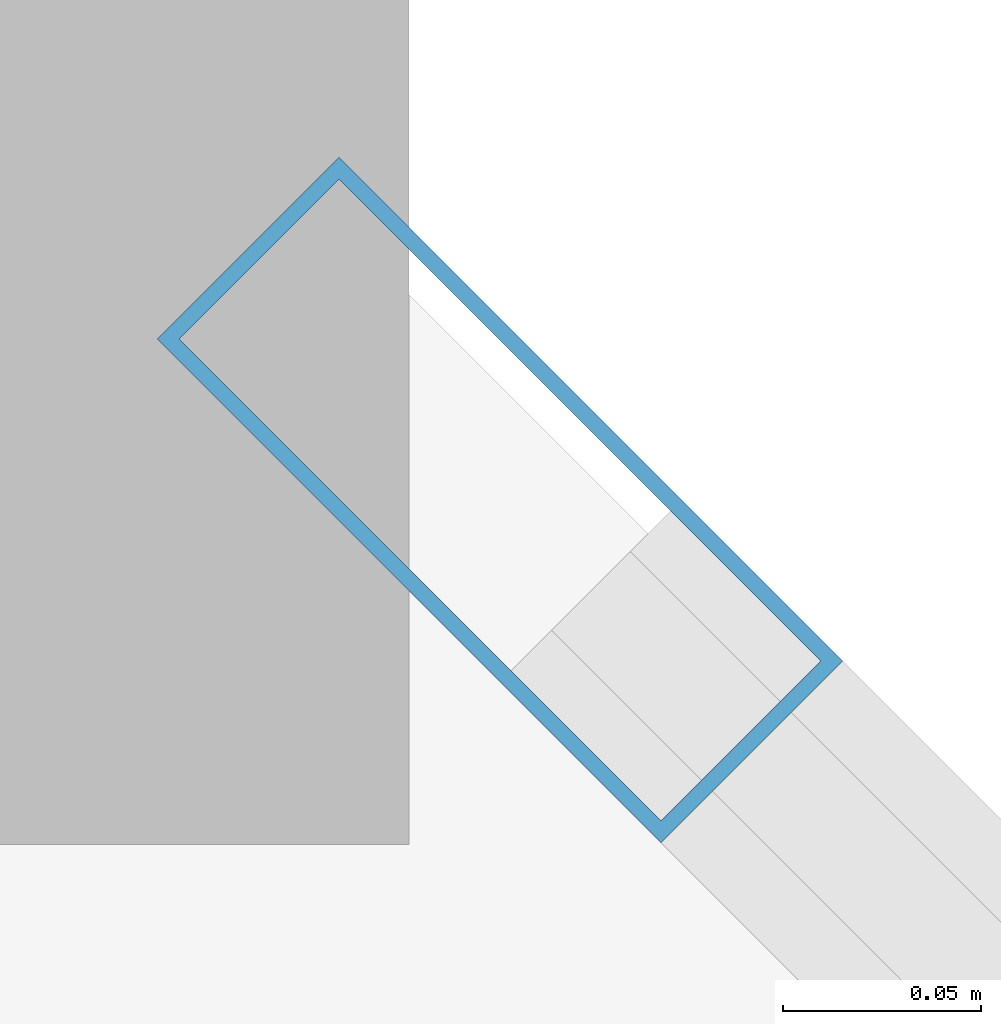
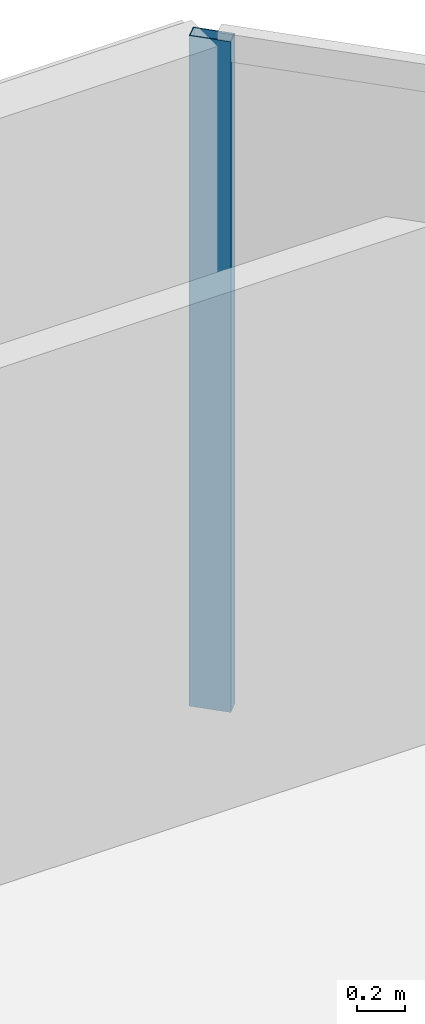
# One storey, part 21 of 30: 1 member, 1 element without a shape of its own.
"""IFC4 building model written with IfcOpenShell, lengths in metres."""

import ifcopenshell
import ifcopenshell.guid

model = None  # the IFC model being written
_history = None  # IfcOwnerHistory: only IFC2X3 demands one
_inside = {}  # id of a spatial element -> (the spatial element, [elements in it])
_under = {}  # id of a project, library or spatial element -> (it, [spatial elements below it])
_declared = {}  # id of a project -> (the project, [libraries it declares])
_typed = {}  # id of a type object -> (the type object, [elements of that type])
_made_of = {}  # id of a material, layer set ... -> (it, [elements and type objects made of it])


def new_model(schema):
    """Start an empty IFC model of exactly this schema.

    Asked for "IFC4X3", IfcOpenShell would pick the latest addendum, in which some entities
    have other attributes; the version numbers below select the first issue.
    IFC2X3 requires an IfcOwnerHistory on every rooted entity: one is made here for all.
    """
    global model, _history
    if schema == "IFC4X3":
        model = ifcopenshell.file(schema_version=(4, 3, 0, 0))
    else:
        model = ifcopenshell.file(schema=schema)
    _inside.clear()
    _under.clear()
    _declared.clear()
    _typed.clear()
    _made_of.clear()
    _history = None
    if model.schema == "IFC2X3":
        org = make("IfcOrganization", Name="unknown")
        user = make(
            "IfcPersonAndOrganization",
            ThePerson=make("IfcPerson", FamilyName="unknown"),
            TheOrganization=org,
        )
        app = make(
            "IfcApplication",
            ApplicationDeveloper=org,
            Version="unknown",
            ApplicationFullName="unknown",
            ApplicationIdentifier="unknown",
        )
        _history = make(
            "IfcOwnerHistory",
            OwningUser=user,
            OwningApplication=app,
            ChangeAction="ADDED",
            CreationDate=0,
        )
    return model


def make(cls, **values):
    """One entity of the class cls with the attributes given. An attribute that is None is left unset."""
    return model.create_entity(
        cls, **{name: value for name, value in values.items() if value is not None}
    )


def rooted(cls, **values):
    """An entity with a GlobalId (a new one), such as an element, a storey or a relation."""
    return make(cls, GlobalId=ifcopenshell.guid.new(), OwnerHistory=_history, **values)


def si_unit(unit_type, name, prefix=None):
    """IfcSIUnit, for example si_unit("LENGTHUNIT", "METRE", prefix="MILLI")."""
    return make("IfcSIUnit", UnitType=unit_type, Prefix=prefix, Name=name)


def assignment(units):
    """IfcUnitAssignment: the units of a project."""
    return None if units is None else make("IfcUnitAssignment", Units=units)


def point(xyz):
    """IfcCartesianPoint."""
    return None if xyz is None else make("IfcCartesianPoint", Coordinates=xyz)


def direction(xyz):
    """IfcDirection."""
    return None if xyz is None else make("IfcDirection", DirectionRatios=xyz)


def frame(location, z_axis=None, x_axis=None):
    """IfcAxis2Placement3D, a coordinate frame: its origin and axes. An axis left out is left unset."""
    return make(
        "IfcAxis2Placement3D",
        Location=point(location),
        Axis=direction(z_axis),
        RefDirection=direction(x_axis),
    )


def frame_2d(location, x_axis=None):
    """IfcAxis2Placement2D, a coordinate frame in the plane: its origin and x axis."""
    return make(
        "IfcAxis2Placement2D", Location=point(location), RefDirection=direction(x_axis)
    )


def origin():
    """The frame at (0, 0, 0) with its axes left unset."""
    return frame((0.0, 0.0, 0.0))


def origin_2d():
    """The frame at (0, 0) in the plane with its x axis left unset."""
    return frame_2d((0.0, 0.0))


def place(relative_to, where):
    """IfcLocalPlacement: puts the frame where relative to a parent placement (None: the world)."""
    return make(
        "IfcLocalPlacement", PlacementRelTo=relative_to, RelativePlacement=where
    )


def context(
    kind, dimensions, precision=None, world=None, true_north=None, identifier=None
):
    """IfcGeometricRepresentationContext, for example the 3D "Model" context."""
    return make(
        "IfcGeometricRepresentationContext",
        ContextIdentifier=identifier,
        ContextType=kind,
        CoordinateSpaceDimension=dimensions,
        Precision=precision,
        WorldCoordinateSystem=world,
        TrueNorth=true_north,
    )


def subcontext(parent, identifier, kind, view, scale=None):
    """IfcGeometricRepresentationSubContext, for example "Body" below "Model"."""
    return make(
        "IfcGeometricRepresentationSubContext",
        ContextIdentifier=identifier,
        ContextType=kind,
        ParentContext=parent,
        TargetScale=scale,
        TargetView=view,
    )


def project(units=None, contexts=None):
    """IfcProject with its units and contexts."""
    return rooted(
        "IfcProject",
        Name="project",
        RepresentationContexts=contexts,
        UnitsInContext=assignment(units),
    )


def spatial(cls, under=None, at=None, **own):
    """A site, building, storey or space (cls), placed at a placement, below another one or the project."""
    s = rooted(cls, ObjectPlacement=at, **own)
    if under is not None:
        _under.setdefault(under.id(), (under, []))[1].append(s)
    return s


def profile(cls, at=None, kind="AREA", **sizes):
    """A parametric profile (cls). Its sizes go by their IFC names, for example OverallWidth=200.0."""
    return make(cls, ProfileType=kind, Position=at, **sizes)


def hollow_rectangle(**sizes):
    """IfcRectangleHollowProfileDef."""
    return profile("IfcRectangleHollowProfileDef", **sizes)


def extrude(swept, where, along, depth):
    """IfcExtrudedAreaSolid: the profile swept, set in the frame where, extruded along a direction by depth."""
    return make(
        "IfcExtrudedAreaSolid",
        SweptArea=swept,
        Position=where,
        ExtrudedDirection=direction(along),
        Depth=depth,
    )


def shape(context_of_items, identifier, shape_type, items):
    """IfcShapeRepresentation: the items that make up one representation, for example the "Body"."""
    return make(
        "IfcShapeRepresentation",
        ContextOfItems=context_of_items,
        RepresentationIdentifier=identifier,
        RepresentationType=shape_type,
        Items=items,
    )


def material(Name=None, Category=None):
    """IfcMaterial."""
    return make("IfcMaterial", Name=Name, Category=Category)


def layer(
    of_material, thickness, ventilated=None, Name=None, Category=None, Priority=None
):
    """IfcMaterialLayer: one layer of a wall or slab, of a material (None: an air gap)."""
    return make(
        "IfcMaterialLayer",
        Material=of_material,
        LayerThickness=thickness,
        IsVentilated=ventilated,
        Name=Name,
        Category=Category,
        Priority=Priority,
    )


def layer_set(layers, Name=None):
    """IfcMaterialLayerSet."""
    return make("IfcMaterialLayerSet", MaterialLayers=layers, LayerSetName=Name)


def material_profile(
    of_material, cross_section, Name=None, Category=None, Priority=None
):
    """IfcMaterialProfile: a cross section and its material."""
    return make(
        "IfcMaterialProfile",
        Name=Name,
        Material=of_material,
        Profile=cross_section,
        Priority=Priority,
        Category=Category,
    )


def profile_set(profiles, Name=None, composite=None):
    """IfcMaterialProfileSet."""
    return make(
        "IfcMaterialProfileSet",
        Name=Name,
        MaterialProfiles=profiles,
        CompositeProfile=composite,
    )


def made_of(thing, what):
    """Note that an element or type object is made of a material, layer set ...; save() writes the relation."""
    if what is not None:
        _made_of.setdefault(what.id(), (what, []))[1].append(thing)
    return thing


def type_object(cls, material=None, **own):
    """A type object (cls), such as IfcWallType, which elements share."""
    return made_of(rooted(cls, **own), material)


def element(
    cls,
    number,
    at=None,
    inside=None,
    cuts=None,
    type_object=None,
    material=None,
    context=None,
    identifier="Body",
    shape_type=None,
    held_by="IfcProductDefinitionShape",
    body=None,
    shapes=None,
    **own,
):
    """One element of the class cls, such as IfcWall. Its Tag is "e" and its number.

    at: its placement. inside: the storey or other place that contains it. cuts: it is an
    opening in that element (IfcRelVoidsElement). A single representation is given by context,
    identifier, shape_type and body (its items); several are given by shapes. held_by: the class
    of the entity that holds the representations. save() writes the other relations.
    """
    e = rooted(cls, Tag="e%d" % number, ObjectPlacement=at, **own)
    if body is not None:
        shapes = [shape(context, identifier, shape_type, body)]
    if shapes is not None:
        e.Representation = make(held_by, Representations=shapes)
    if inside is not None:
        _inside.setdefault(inside.id(), (inside, []))[1].append(e)
    if cuts is not None:
        rooted(
            "IfcRelVoidsElement", RelatingBuildingElement=cuts, RelatedOpeningElement=e
        )
    if type_object is not None:
        _typed.setdefault(type_object.id(), (type_object, []))[1].append(e)
    return made_of(e, material)


def aggregate(whole, parts):
    """IfcRelAggregates: a whole, such as a stair, and the parts it consists of."""
    return rooted("IfcRelAggregates", RelatingObject=whole, RelatedObjects=parts)


def save(model, path):
    """Write the relations noted so far, then the file.

    IfcRelAggregates (storeys below a building ...), IfcRelContainedInSpatialStructure (elements
    in a storey), IfcRelDefinesByType, IfcRelAssociatesMaterial and IfcRelDeclares: one each for
    every whole, place, type object, material and project.
    """
    for whole, parts in _under.values():
        aggregate(whole, parts)
    for where, things in _inside.values():
        rooted(
            "IfcRelContainedInSpatialStructure",
            RelatedElements=things,
            RelatingStructure=where,
        )
    for kind, things in _typed.values():
        rooted("IfcRelDefinesByType", RelatedObjects=things, RelatingType=kind)
    for what, things in _made_of.values():
        rooted("IfcRelAssociatesMaterial", RelatedObjects=things, RelatingMaterial=what)
    for by, libraries in _declared.values():
        rooted("IfcRelDeclares", RelatingContext=by, RelatedDefinitions=libraries)
    model.write(path)


model = new_model("IFC4")

# Units and contexts
model_context = context("Model", 3, precision=1e-05, world=origin(), true_north=direction((0.0, 1.0)))
body_context = subcontext(model_context, "Body", "Model", "MODEL_VIEW")
ifc_project = project(units=[si_unit("LENGTHUNIT", "METRE"), si_unit("AREAUNIT", "SQUARE_METRE"), si_unit("VOLUMEUNIT", "CUBIC_METRE"), si_unit("PLANEANGLEUNIT", "RADIAN"), si_unit("MASSUNIT", "GRAM", prefix="KILO")], contexts=[model_context])

# Site, building, storey
site_placement = place(None, origin())
site = spatial("IfcSite", under=ifc_project, at=site_placement, CompositionType="ELEMENT")
building_placement = place(site_placement, origin())
building = spatial("IfcBuilding", under=site, at=building_placement, Name="Tanjung Sevakor Pilgrim Tower", CompositionType="ELEMENT")
storey_placement = place(building_placement, frame((0.0, 0.0, 253.43994140625)))
storey = spatial("IfcBuildingStorey", under=building, at=storey_placement, Name="L71", CompositionType="ELEMENT", Elevation=253.43994140625)

# Curtain wall, member
ifc_material_1 = material(Name="Aluminium 6063-T6 and Low-E Glass", Category="aluminium")
ifc_layer = layer(ifc_material_1, 0.179931640625)
ifc_layer_set = layer_set([ifc_layer], Name="CW-SYS-CHAM")
curtain_wall_type = type_object("IfcCurtainWallType", Name="CW-SYS-CHAM", PredefinedType="NOTDEFINED", material=ifc_layer_set)
curtain_wall_placement = place(storey_placement, origin())
curtain_wall = element("IfcCurtainWall", 1, at=curtain_wall_placement, inside=storey, type_object=curtain_wall_type, Name="L71 Curtain Wall CW-CHM-L71-EAST-3", PredefinedType="NOTDEFINED")
ifc_material_2 = material(Name="Aluminium 6063-T6", Category="aluminium")
ifc_material_profile = material_profile(ifc_material_2, hollow_rectangle(XDim=0.06494140625, YDim=0.179931640625, WallThickness=0.00390625, at=origin_2d()))
ifc_profile_set = profile_set([ifc_material_profile], Name="Aluminium 6063-T6")
member_type = type_object("IfcMemberType", Name="TYPE-CWM-1", PredefinedType="MULLION", material=ifc_profile_set)
member_placement = place(storey_placement, frame((94.77734375, 54.866943359375, 0.0), z_axis=(0.0, 0.0, 1.0), x_axis=(-0.707106781187, -0.707106781187, 0.0)))
member = element("IfcMember", 2, at=member_placement, type_object=member_type, Name="CW-CHM mullion 2", PredefinedType="MULLION", context=body_context, shape_type="SweptSolid", body=[
    extrude(hollow_rectangle(XDim=0.06494140625, YDim=0.179931640625, WallThickness=0.00390625, at=origin_2d()), origin(), (0.0, 0.0, 1.0), 3.41015625),
])
aggregate(curtain_wall, [member])

save(model, "model.ifc")
